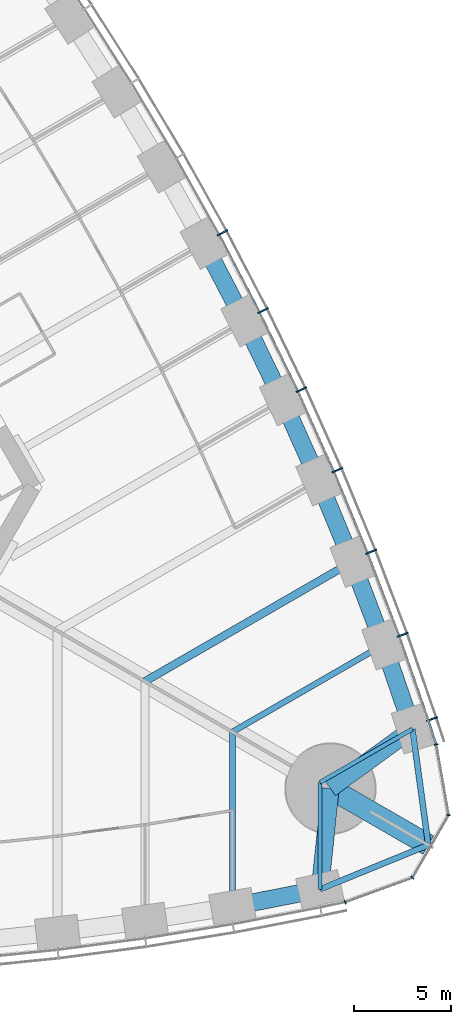
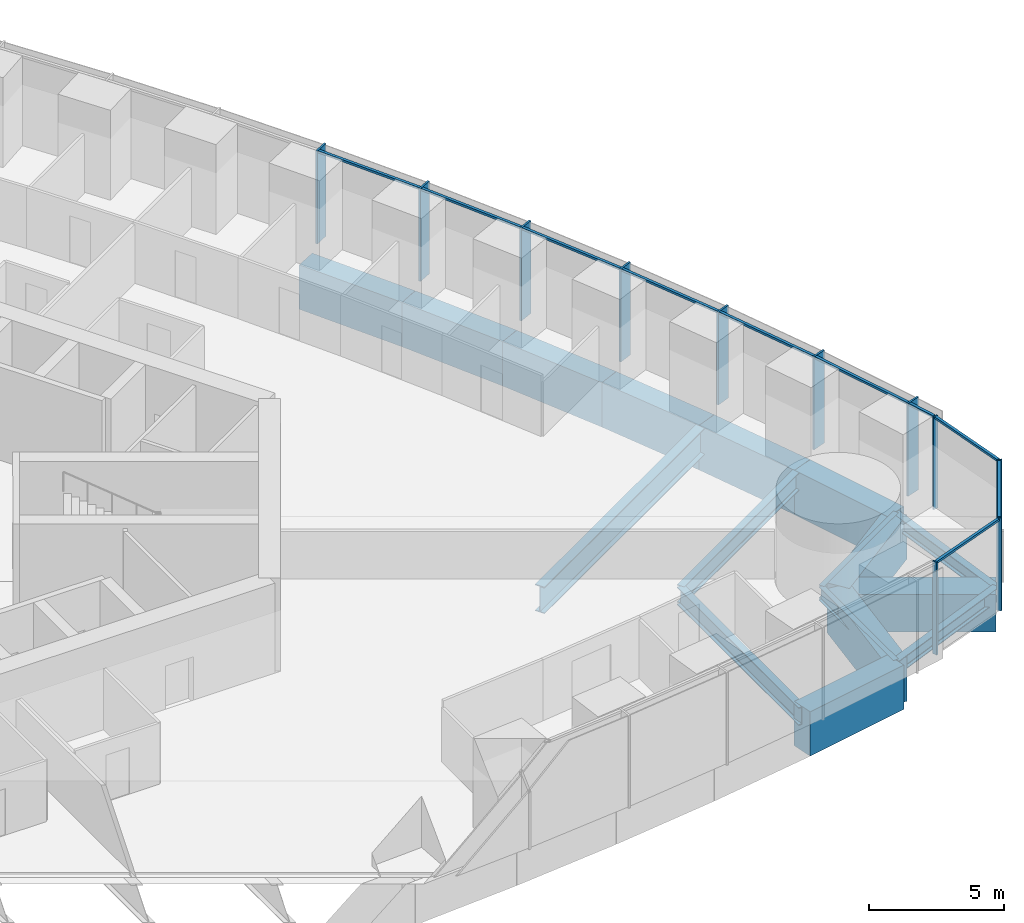
# One storey, part 6 of 19: 21 members, 17 beams, 2 elements without a shape of their own.
"""IFC4 building model written with IfcOpenShell, lengths in metres."""

from ifc_helpers import new_model, si_unit, direction, frame, origin, origin_2d, place, context, subcontext, project, spatial, rectangle, i_section, extrude, material, material_profile, profile_set, type_object, element, aggregate, save


model = new_model("IFC4")

# Units and contexts
model_context = context("Model", 3, precision=1e-05, world=origin(), true_north=direction((0.0, 1.0)))
body_context = subcontext(model_context, "Body", "Model", "MODEL_VIEW")
ifc_project = project(units=[si_unit("LENGTHUNIT", "METRE"), si_unit("AREAUNIT", "SQUARE_METRE"), si_unit("VOLUMEUNIT", "CUBIC_METRE"), si_unit("PLANEANGLEUNIT", "RADIAN"), si_unit("MASSUNIT", "GRAM", prefix="KILO")], contexts=[model_context])

# Site, building, storey
site_placement = place(None, origin())
site = spatial("IfcSite", under=ifc_project, at=site_placement, CompositionType="ELEMENT")
building_placement = place(site_placement, origin())
building = spatial("IfcBuilding", under=site, at=building_placement, Name="Trefoil Bronze Tower", CompositionType="ELEMENT")
storey_placement = place(building_placement, frame((0.0, 0.0, 79.5)))
storey = spatial("IfcBuildingStorey", under=building, at=storey_placement, Name="L18", CompositionType="ELEMENT", Elevation=79.5)

# Curtain wall, members
ifc_material_1 = material(Name="Tinted solar-control glass", Category="glass")
curtain_wall_type_1 = type_object("IfcCurtainWallType", Name="Bronze office curtain wall", PredefinedType="USERDEFINED", material=ifc_material_1)
curtain_wall_1_placement = place(storey_placement, origin())
curtain_wall_1 = element("IfcCurtainWall", 1, at=curtain_wall_1_placement, inside=storey, type_object=curtain_wall_type_1, Name="CW-A L18 F2", ObjectType="CURTAIN WALL", PredefinedType="USERDEFINED")
ifc_material_2 = material(Name="Bronze-finish aluminium", Category="aluminium")
ifc_material_profile_1 = material_profile(ifc_material_2, rectangle(XDim=0.60009765625, YDim=0.080078125, at=origin_2d()), Name="CW-A mullion")
ifc_profile_set_1 = profile_set([ifc_material_profile_1], Name="Bronze-finish aluminium")
member_type_1 = type_object("IfcMemberType", Name="Bronze office curtain wall mullion", PredefinedType="MULLION", material=ifc_profile_set_1)
member_1_placement = place(storey_placement, frame((37.265869140625, -14.92626953125, 0.0), z_axis=(0.0, 0.0, 1.0), x_axis=(-0.947850592929, -0.318715003543, 0.0)))
member_1 = element("IfcMember", 2, at=member_1_placement, type_object=member_type_1, Name="CW-A L18 F2 mullion 2", PredefinedType="MULLION", context=body_context, shape_type="SweptSolid", body=[
    extrude(rectangle(XDim=0.60009765625, YDim=0.080078125, at=origin_2d()), origin(), (0.0, 0.0, 1.0), 4.179931640625),
])
member_2_placement = place(storey_placement, frame((35.761962890625, -10.590087890625, 0.0), z_axis=(0.0, 0.0, 1.0), x_axis=(-0.939860248316, -0.341559238839, 0.0)))
member_2 = element("IfcMember", 3, at=member_2_placement, type_object=member_type_1, Name="CW-A L18 F2 mullion 3", PredefinedType="MULLION", context=body_context, shape_type="SweptSolid", body=[
    extrude(rectangle(XDim=0.60009765625, YDim=0.080078125, at=origin_2d()), origin(), (0.0, 0.0, 1.0), 4.179931640625),
])
member_3_placement = place(storey_placement, frame((34.138916015625, -6.32080078125, 0.0), z_axis=(0.0, 0.0, 1.0), x_axis=(-0.929413605838, -0.369039766534, 0.0)))
member_3 = element("IfcMember", 4, at=member_3_placement, type_object=member_type_1, Name="CW-A L18 F2 mullion 4", PredefinedType="MULLION", context=body_context, shape_type="SweptSolid", body=[
    extrude(rectangle(XDim=0.60009765625, YDim=0.080078125, at=origin_2d()), origin(), (0.0, 0.0, 1.0), 4.179931640625),
])
member_4_placement = place(storey_placement, frame((32.39892578125, -2.119384765625, 0.0), z_axis=(0.0, 0.0, 1.0), x_axis=(-0.918213748442, -0.396085233469, 0.0)))
member_4 = element("IfcMember", 5, at=member_4_placement, type_object=member_type_1, Name="CW-A L18 F2 mullion 5", PredefinedType="MULLION", context=body_context, shape_type="SweptSolid", body=[
    extrude(rectangle(XDim=0.60009765625, YDim=0.080078125, at=origin_2d()), origin(), (0.0, 0.0, 1.0), 4.179931640625),
])
member_5_placement = place(storey_placement, frame((30.543212890625, 2.015380859375, 0.0), z_axis=(0.0, 0.0, 1.0), x_axis=(-0.906269346572, -0.422700687798, 0.0)))
member_5 = element("IfcMember", 6, at=member_5_placement, type_object=member_type_1, Name="CW-A L18 F2 mullion 6", PredefinedType="MULLION", context=body_context, shape_type="SweptSolid", body=[
    extrude(rectangle(XDim=0.60009765625, YDim=0.080078125, at=origin_2d()), origin(), (0.0, 0.0, 1.0), 4.179931640625),
])
member_6_placement = place(storey_placement, frame((28.57275390625, 6.084228515625, 0.0), z_axis=(0.0, 0.0, 1.0), x_axis=(-0.893587025891, -0.448889994497, 0.0)))
member_6 = element("IfcMember", 7, at=member_6_placement, type_object=member_type_1, Name="CW-A L18 F2 mullion 7", PredefinedType="MULLION", context=body_context, shape_type="SweptSolid", body=[
    extrude(rectangle(XDim=0.60009765625, YDim=0.080078125, at=origin_2d()), origin(), (0.0, 0.0, 1.0), 4.179931640625),
])
member_7_placement = place(storey_placement, frame((26.488525390625, 10.0869140625, 0.0), z_axis=(0.0, 0.0, 1.0), x_axis=(-0.880171454588, -0.474655886437, 0.0)))
member_7 = element("IfcMember", 8, at=member_7_placement, type_object=member_type_1, Name="CW-A L18 F2 mullion 8", PredefinedType="MULLION", context=body_context, shape_type="SweptSolid", body=[
    extrude(rectangle(XDim=0.60009765625, YDim=0.080078125, at=origin_2d()), origin(), (0.0, 0.0, 1.0), 4.179931640625),
])
ifc_material_3 = material(Name="Bronze-finish aluminium", Category="aluminium")
ifc_material_profile_2 = material_profile(ifc_material_3, rectangle(XDim=0.1201171875, YDim=0.10009765625, at=origin_2d()), Name="CW-A transom")
ifc_profile_set_2 = profile_set([ifc_material_profile_2], Name="Bronze-finish aluminium")
member_type_2 = type_object("IfcMemberType", Name="Bronze office curtain wall transom", PredefinedType="USERDEFINED", material=ifc_profile_set_2)
member_8_placement = place(storey_placement, frame((37.4638671875, -16.1796875, 4.1298828125), z_axis=(-0.309624219148, 0.950859002648, 0.0), x_axis=(-0.950859002648, -0.309624219148, 0.0)))
member_8 = element("IfcMember", 9, at=member_8_placement, type_object=member_type_2, Name="CW-A L18 F2 transom 1", ObjectType="TRANSOM", PredefinedType="USERDEFINED", context=body_context, shape_type="SweptSolid", body=[
    extrude(rectangle(XDim=0.1201171875, YDim=0.10009765625, at=origin_2d()), origin(), (0.0, 0.0, 1.0), 1.21044921875),
])
member_9_placement = place(storey_placement, frame((37.06298828125, -14.951171875, 4.1298828125), z_axis=(-0.327689728493, 0.944785394595, 0.0), x_axis=(-0.944785394595, -0.327689728493, 0.0)))
member_9 = element("IfcMember", 10, at=member_9_placement, type_object=member_type_2, Name="CW-A L18 F2 transom 2", ObjectType="TRANSOM", PredefinedType="USERDEFINED", context=body_context, shape_type="SweptSolid", body=[
    extrude(rectangle(XDim=0.1201171875, YDim=0.10009765625, at=origin_2d()), origin(), (0.0, 0.0, 1.0), 4.502197265625),
])
member_10_placement = place(storey_placement, frame((35.559326171875, -10.61962890625, 4.1298828125), z_axis=(-0.355367327392, 0.934726731522, 0.0), x_axis=(-0.934726731522, -0.355367327392, 0.0)))
member_10 = element("IfcMember", 11, at=member_10_placement, type_object=member_type_2, Name="CW-A L18 F2 transom 3", ObjectType="TRANSOM", PredefinedType="USERDEFINED", context=body_context, shape_type="SweptSolid", body=[
    extrude(rectangle(XDim=0.1201171875, YDim=0.10009765625, at=origin_2d()), origin(), (0.0, 0.0, 1.0), 4.478515625),
])
member_11_placement = place(storey_placement, frame((33.937255859375, -6.3564453125, 4.1298828125), z_axis=(-0.382616149417, 0.923907399151, 0.0), x_axis=(-0.923907399151, -0.382616149417, 0.0)))
member_11 = element("IfcMember", 12, at=member_11_placement, type_object=member_type_2, Name="CW-A L18 F2 transom 4", ObjectType="TRANSOM", PredefinedType="USERDEFINED", context=body_context, shape_type="SweptSolid", body=[
    extrude(rectangle(XDim=0.1201171875, YDim=0.10009765625, at=origin_2d()), origin(), (0.0, 0.0, 1.0), 4.458984375),
])
member_12_placement = place(storey_placement, frame((32.1982421875, -2.16064453125, 4.1298828125), z_axis=(-0.409459746452, 0.912328184392, 0.0), x_axis=(-0.912328184392, -0.409459746452, 0.0)))
member_12 = element("IfcMember", 13, at=member_12_placement, type_object=member_type_2, Name="CW-A L18 F2 transom 5", ObjectType="TRANSOM", PredefinedType="USERDEFINED", context=body_context, shape_type="SweptSolid", body=[
    extrude(rectangle(XDim=0.1201171875, YDim=0.10009765625, at=origin_2d()), origin(), (0.0, 0.0, 1.0), 4.443359375),
])
member_13_placement = place(storey_placement, frame((30.34375, 1.96826171875, 4.1298828125), z_axis=(-0.435851763293, 0.900018466719, 0.0), x_axis=(-0.900018466719, -0.435851763293, 0.0)))
member_13 = element("IfcMember", 14, at=member_13_placement, type_object=member_type_2, Name="CW-A L18 F2 transom 6", ObjectType="TRANSOM", PredefinedType="USERDEFINED", context=body_context, shape_type="SweptSolid", body=[
    extrude(rectangle(XDim=0.1201171875, YDim=0.10009765625, at=origin_2d()), origin(), (0.0, 0.0, 1.0), 4.431884765625),
])
member_14_placement = place(storey_placement, frame((28.375, 6.031005859375, 4.1298828125), z_axis=(-0.461809621225, 0.886979071762, 0.0), x_axis=(-0.886979071762, -0.461809621225, 0.0)))
member_14 = element("IfcMember", 15, at=member_14_placement, type_object=member_type_2, Name="CW-A L18 F2 transom 7", ObjectType="TRANSOM", PredefinedType="USERDEFINED", context=body_context, shape_type="SweptSolid", body=[
    extrude(rectangle(XDim=0.1201171875, YDim=0.10009765625, at=origin_2d()), origin(), (0.0, 0.0, 1.0), 4.42431640625),
])
aggregate(curtain_wall_1, [member_1, member_2, member_3, member_4, member_5, member_6, member_7, member_8, member_9, member_10, member_11, member_12, member_13, member_14])

ifc_material_4 = material(Name="Tinted solar-control glass", Category="glass")
curtain_wall_type_2 = type_object("IfcCurtainWallType", Name="Bronze rounded corner curtain wall", PredefinedType="USERDEFINED", material=ifc_material_4)
curtain_wall_2_placement = place(storey_placement, origin())
curtain_wall_2 = element("IfcCurtainWall", 16, at=curtain_wall_2_placement, inside=storey, type_object=curtain_wall_type_2, Name="CW-B L18 K1", ObjectType="CURTAIN WALL", PredefinedType="USERDEFINED")
ifc_material_5 = material(Name="Bronze-finish aluminium", Category="aluminium")
ifc_material_profile_3 = material_profile(ifc_material_5, rectangle(XDim=0.199951171875, YDim=0.06005859375, at=origin_2d()), Name="CW-B mullion")
ifc_profile_set_3 = profile_set([ifc_material_profile_3], Name="Bronze-finish aluminium")
member_type_3 = type_object("IfcMemberType", Name="Bronze rounded corner curtain wall mullion", PredefinedType="MULLION", material=ifc_profile_set_3)
member_15_placement = place(storey_placement, frame((32.796630859375, -24.3427734375, 0.0), z_axis=(0.0, 0.0, 1.0), x_axis=(-0.342020143326, 0.939692620786, 0.0)))
member_15 = element("IfcMember", 17, at=member_15_placement, type_object=member_type_3, Name="CW-B L18 K1 mullion 1", PredefinedType="MULLION", context=body_context, shape_type="SweptSolid", body=[
    extrude(rectangle(XDim=0.199951171875, YDim=0.06005859375, at=origin_2d()), origin(), (0.0, 0.0, 1.0), 4.179931640625),
])
member_16_placement = place(storey_placement, frame((36.2548828125, -23.07763671875, 0.0), z_axis=(0.0, 0.0, 1.0), x_axis=(-0.642787609687, 0.766044443119, 0.0)))
member_16 = element("IfcMember", 18, at=member_16_placement, type_object=member_type_3, Name="CW-B L18 K1 mullion 2", PredefinedType="MULLION", context=body_context, shape_type="SweptSolid", body=[
    extrude(rectangle(XDim=0.199951171875, YDim=0.06005859375, at=origin_2d()), origin(), (0.0, 0.0, 1.0), 4.179931640625),
])
member_17_placement = place(storey_placement, frame((38.11328125, -19.85888671875, 0.0), z_axis=(0.0, 0.0, 1.0), x_axis=(-0.984807753012, 0.173648177667, 0.0)))
member_17 = element("IfcMember", 19, at=member_17_placement, type_object=member_type_3, Name="CW-B L18 K1 mullion 3", PredefinedType="MULLION", context=body_context, shape_type="SweptSolid", body=[
    extrude(rectangle(XDim=0.199951171875, YDim=0.06005859375, at=origin_2d()), origin(), (0.0, 0.0, 1.0), 4.179931640625),
])
member_18_placement = place(storey_placement, frame((37.479736328125, -16.2314453125, 0.0), z_axis=(0.0, 0.0, 1.0), x_axis=(-0.984807753012, -0.173648177667, 0.0)))
member_18 = element("IfcMember", 20, at=member_18_placement, type_object=member_type_3, Name="CW-B L18 K1 mullion 4", PredefinedType="MULLION", context=body_context, shape_type="SweptSolid", body=[
    extrude(rectangle(XDim=0.199951171875, YDim=0.06005859375, at=origin_2d()), origin(), (0.0, 0.0, 1.0), 4.179931640625),
])
ifc_material_6 = material(Name="Bronze-finish aluminium", Category="aluminium")
ifc_material_profile_4 = material_profile(ifc_material_6, rectangle(XDim=0.1201171875, YDim=0.10009765625, at=origin_2d()), Name="CW-B transom")
ifc_profile_set_4 = profile_set([ifc_material_profile_4], Name="Bronze-finish aluminium")
member_type_4 = type_object("IfcMemberType", Name="Bronze rounded corner curtain wall transom", PredefinedType="USERDEFINED", material=ifc_profile_set_4)
member_19_placement = place(storey_placement, frame((32.82470703125, -24.33251953125, 4.1298828125), z_axis=(0.939688092095, 0.342032585545, 0.0), x_axis=(-0.342032585545, 0.939688092095, 0.0)))
member_19 = element("IfcMember", 21, at=member_19_placement, type_object=member_type_4, Name="CW-B L18 K1 transom 1", ObjectType="TRANSOM", PredefinedType="USERDEFINED", context=body_context, shape_type="SweptSolid", body=[
    extrude(rectangle(XDim=0.1201171875, YDim=0.10009765625, at=origin_2d()), origin(), (0.0, 0.0, 1.0), 3.588134765625),
])
member_20_placement = place(storey_placement, frame((36.292236328125, -23.02490234375, 4.1298828125), z_axis=(0.500024788772, 0.866011091507, 0.0), x_axis=(-0.866011091507, 0.500024788772, 0.0)))
member_20 = element("IfcMember", 22, at=member_20_placement, type_object=member_type_4, Name="CW-B L18 K1 transom 2", ObjectType="TRANSOM", PredefinedType="USERDEFINED", context=body_context, shape_type="SweptSolid", body=[
    extrude(rectangle(XDim=0.1201171875, YDim=0.10009765625, at=origin_2d()), origin(), (0.0, 0.0, 1.0), 3.588134765625),
])
member_21_placement = place(storey_placement, frame((38.10791015625, -19.794677734375, 4.1298828125), z_axis=(-0.17363783606, 0.984809576461, 0.0), x_axis=(-0.984809576461, -0.17363783606, 0.0)))
member_21 = element("IfcMember", 23, at=member_21_placement, type_object=member_type_4, Name="CW-B L18 K1 transom 3", ObjectType="TRANSOM", PredefinedType="USERDEFINED", context=body_context, shape_type="SweptSolid", body=[
    extrude(rectangle(XDim=0.1201171875, YDim=0.10009765625, at=origin_2d()), origin(), (0.0, 0.0, 1.0), 3.588134765625),
])
aggregate(curtain_wall_2, [member_15, member_16, member_17, member_18, member_19, member_20, member_21])

# Beams
ifc_material_7 = material(Name="Concrete B80", Category="concrete")
ifc_material_profile_5 = material_profile(ifc_material_7, rectangle(XDim=1.10009765625, YDim=1.699951171875, at=origin_2d()), Name="RC 1100x1700")
ifc_profile_set_5 = profile_set([ifc_material_profile_5], Name="Concrete B80")
beam_type_1 = type_object("IfcBeamType", Name="Corner cantilever RC 1100x1700", PredefinedType="BEAM", material=ifc_profile_set_5)
beam_1_placement = place(storey_placement, frame((32.04296875, -18.5, -1.050048828125), z_axis=(0.866030348588, -0.499991435252, 0.0), x_axis=(0.499991435252, 0.866030348588, 0.0)))
element("IfcBeam", 24, at=beam_1_placement, inside=storey, type_object=beam_type_1, Name="Corner cantilever K1 L18", PredefinedType="BEAM", context=body_context, shape_type="SweptSolid", body=[
    extrude(rectangle(XDim=1.10009765625, YDim=1.699951171875, at=origin_2d()), origin(), (0.0, 0.0, 1.0), 5.81396484375),
])
ifc_material_8 = material(Name="Steel C355", Category="steel")
ifc_material_profile_6 = material_profile(ifc_material_8, i_section(OverallWidth=0.300048828125, OverallDepth=0.60009765625, WebThickness=0.015380859375, FlangeThickness=0.030029296875, FilletRadius=0.027099609375, at=origin_2d()), Name="HEB 600")
ifc_profile_set_6 = profile_set([ifc_material_profile_6], Name="Steel C355")
beam_type_2 = type_object("IfcBeamType", Name="Corner edge beam HEB 600", PredefinedType="BEAM", material=ifc_profile_set_6)
beam_2_placement = place(storey_placement, frame((31.5, -23.684814453125, -0.5), z_axis=(0.925786874353, 0.378045848114, 0.0), x_axis=(-0.378045848114, 0.925786874353, 0.0)))
element("IfcBeam", 25, at=beam_2_placement, inside=storey, type_object=beam_type_2, Name="Corner edge beam F1A L18", PredefinedType="BEAM", context=body_context, shape_type="SweptSolid", body=[
    extrude(i_section(OverallWidth=0.300048828125, OverallDepth=0.60009765625, WebThickness=0.015380859375, FlangeThickness=0.030029296875, FilletRadius=0.027099609375, at=origin_2d()), origin(), (0.0, 0.0, 1.0), 6.025390625),
])
beam_3_placement = place(storey_placement, frame((36.26171875, -15.4375, -0.5), z_axis=(0.13550196505, -0.990777077585, 0.0), x_axis=(0.990777077585, 0.13550196505, 0.0)))
element("IfcBeam", 26, at=beam_3_placement, inside=storey, type_object=beam_type_2, Name="Corner edge beam F2B L18", PredefinedType="BEAM", context=body_context, shape_type="SweptSolid", body=[
    extrude(i_section(OverallWidth=0.300048828125, OverallDepth=0.60009765625, WebThickness=0.015380859375, FlangeThickness=0.030029296875, FilletRadius=0.027099609375, at=origin_2d()), origin(), (0.0, 0.0, 1.0), 6.025146484375),
])
ifc_material_9 = material(Name="Concrete B80", Category="concrete")
ifc_material_profile_7 = material_profile(ifc_material_9, rectangle(XDim=0.89990234375, YDim=2.0, at=origin_2d()), Name="RC 900x2000")
ifc_profile_set_7 = profile_set([ifc_material_profile_7], Name="Concrete B80")
beam_type_3 = type_object("IfcBeamType", Name="End spandrel beam RC 900x2000", PredefinedType="SPANDREL", material=ifc_profile_set_7)
for number, where, z_axis, x_axis, name in (
    (27, (31.5, -23.684814453125, -1.199951171875), (0.104153327908, 0.994561252154, 0.0), (-0.994561252154, 0.104153327908, 0.0), "Spandrel F1.16 L18"),
    (28, (32.04296875, -18.5, -1.199951171875), (0.809254211267, 0.587458612624, 0.0), (-0.587458612624, 0.809254211267, 0.0), "Spandrel F2.1 L18"),
):
    element("IfcBeam", number, at=place(storey_placement, frame(where, z_axis=z_axis, x_axis=x_axis)), inside=storey, type_object=beam_type_3, Name=name, PredefinedType="SPANDREL", context=body_context, shape_type="SweptSolid", body=[
        extrude(rectangle(XDim=0.89990234375, YDim=2.0, at=origin_2d()), origin(), (0.0, 0.0, 1.0), 5.213134765625),
    ])
ifc_material_10 = material(Name="Steel C355", Category="steel")
ifc_material_profile_8 = material_profile(ifc_material_10, i_section(OverallWidth=0.300048828125, OverallDepth=0.800048828125, WebThickness=0.017578125, FlangeThickness=0.032958984375, FilletRadius=0.030029296875, at=origin_2d()), Name="HEB 800")
ifc_profile_set_8 = profile_set([ifc_material_profile_8], Name="Steel C355")
beam_type_4 = type_object("IfcBeamType", Name="Floor beam HEB 800", PredefinedType="BEAM", material=ifc_profile_set_8)
for number, where, z_axis, x_axis, name in (
    (29, (27.0, -24.56787109375, -0.60009765625), (0.0, 1.0, 0.0), (-1.0, 0.0, 0.0), "Floor beam F1/+6 L18"),
    (30, (34.7763671875, -11.0986328125, -0.60009765625), (-0.866022587327, -0.500004878216, 0.0), (0.500004878216, -0.866022587327, 0.0), "Floor beam F2/-6 L18"),
):
    element("IfcBeam", number, at=place(storey_placement, frame(where, z_axis=z_axis, x_axis=x_axis)), inside=storey, type_object=beam_type_4, Name=name, PredefinedType="BEAM", context=body_context, shape_type="SweptSolid", body=[
        extrude(i_section(OverallWidth=0.300048828125, OverallDepth=0.800048828125, WebThickness=0.017578125, FlangeThickness=0.032958984375, FilletRadius=0.030029296875, at=origin_2d()), origin(), (0.0, 0.0, 1.0), 8.9794921875),
    ])
ifc_material_11 = material(Name="Steel C355", Category="steel")
ifc_material_profile_9 = material_profile(ifc_material_11, i_section(OverallWidth=0.219970703125, OverallDepth=0.60009765625, WebThickness=0.011962890625, FlangeThickness=0.01904296875, FilletRadius=0.02392578125, at=origin_2d()), Name="IPE 600")
ifc_profile_set_9 = profile_set([ifc_material_profile_9], Name="Steel C355")
beam_type_5 = type_object("IfcBeamType", Name="Floor beam IPE 600", PredefinedType="BEAM", material=ifc_profile_set_9)
for number, where, z_axis, x_axis, name in (
    (31, (31.5, -23.684814453125, -0.5), (0.0, 1.0, 0.0), (-1.0, 0.0, 0.0), "Floor beam F1/+7 L18"),
    (32, (36.26171875, -15.4375, -0.5), (-0.866037702141, -0.499978698016, 0.0), (0.499978698016, -0.866037702141, 0.0), "Floor beam F2/-7 L18"),
):
    element("IfcBeam", number, at=place(storey_placement, frame(where, z_axis=z_axis, x_axis=x_axis)), inside=storey, type_object=beam_type_5, Name=name, PredefinedType="BEAM", context=body_context, shape_type="SweptSolid", body=[
        extrude(i_section(OverallWidth=0.219970703125, OverallDepth=0.60009765625, WebThickness=0.011962890625, FlangeThickness=0.01904296875, FilletRadius=0.02392578125, at=origin_2d()), origin(), (0.0, 0.0, 1.0), 5.498291015625),
    ])
ifc_material_12 = material(Name="Steel C355", Category="steel")
ifc_material_profile_10 = material_profile(ifc_material_12, i_section(OverallWidth=0.39990234375, OverallDepth=1.199951171875, WebThickness=0.02001953125, FlangeThickness=0.0400390625, FilletRadius=0.010009765625, at=origin_2d()), Name="WPG 1200")
ifc_profile_set_10 = profile_set([ifc_material_profile_10], Name="Steel C355")
beam_type_6 = type_object("IfcBeamType", Name="Floor beam WPG 1200", PredefinedType="BEAM", material=ifc_profile_set_10)
beam_4_placement = place(storey_placement, frame((33.159912109375, -6.8359375, -0.800048828125), z_axis=(-0.866024070878, -0.500002308654, 0.0), x_axis=(0.500002308654, -0.866024070878, 0.0)))
element("IfcBeam", 33, at=beam_4_placement, inside=storey, type_object=beam_type_6, Name="Floor beam F2/-5 L18", PredefinedType="BEAM", context=body_context, shape_type="SweptSolid", body=[
    extrude(i_section(OverallWidth=0.39990234375, OverallDepth=1.199951171875, WebThickness=0.02001953125, FlangeThickness=0.0400390625, FilletRadius=0.010009765625, at=origin_2d()), origin(), (0.0, 0.0, 1.0), 12.30908203125),
])
ifc_material_13 = material(Name="Concrete B80", Category="concrete")
ifc_material_profile_11 = material_profile(ifc_material_13, rectangle(XDim=0.89990234375, YDim=2.0, at=origin_2d()), Name="RC 900x2000")
ifc_profile_set_11 = profile_set([ifc_material_profile_11], Name="Concrete B80")
beam_type_7 = type_object("IfcBeamType", Name="Spandrel beam RC 900x2000", PredefinedType="SPANDREL", material=ifc_profile_set_11)
beam_5_placement = place(storey_placement, frame((27.0, -24.56787109375, -1.199951171875), z_axis=(0.981284764092, 0.192562228283, 0.0), x_axis=(-0.192562228283, 0.981284764092, 0.0)))
element("IfcBeam", 34, at=beam_5_placement, inside=storey, type_object=beam_type_7, Name="Spandrel F1.15 L18", PredefinedType="SPANDREL", context=body_context, shape_type="SweptSolid", body=[
    extrude(rectangle(XDim=0.89990234375, YDim=2.0, at=origin_2d()), origin(), (0.0, 0.0, 1.0), 4.5859375),
])
beam_6_placement = place(storey_placement, frame((36.26171875, -15.4375, -1.199951171875), z_axis=(-0.323883319148, 0.946097032855, 0.0), x_axis=(-0.946097032855, -0.323883319148, 0.0)))
element("IfcBeam", 35, at=beam_6_placement, inside=storey, type_object=beam_type_7, Name="Spandrel F2.2 L18", PredefinedType="SPANDREL", context=body_context, shape_type="SweptSolid", body=[
    extrude(rectangle(XDim=0.89990234375, YDim=2.0, at=origin_2d()), origin(), (0.0, 0.0, 1.0), 4.586181640625),
])
beam_7_placement = place(storey_placement, frame((34.7763671875, -11.0986328125, -1.199951171875), z_axis=(-0.354571899767, 0.935028752443, 0.0), x_axis=(-0.935028752443, -0.354571899767, 0.0)))
element("IfcBeam", 36, at=beam_7_placement, inside=storey, type_object=beam_type_7, Name="Spandrel F2.3 L18", PredefinedType="SPANDREL", context=body_context, shape_type="SweptSolid", body=[
    extrude(rectangle(XDim=0.89990234375, YDim=2.0, at=origin_2d()), origin(), (0.0, 0.0, 1.0), 4.558837890625),
])
beam_8_placement = place(storey_placement, frame((33.159912109375, -6.8359375, -1.199951171875), z_axis=(-0.382020825144, 0.924153715113, 0.0), x_axis=(-0.924153715113, -0.382020825144, 0.0)))
element("IfcBeam", 37, at=beam_8_placement, inside=storey, type_object=beam_type_7, Name="Spandrel F2.4 L18", PredefinedType="SPANDREL", context=body_context, shape_type="SweptSolid", body=[
    extrude(rectangle(XDim=0.89990234375, YDim=2.0, at=origin_2d()), origin(), (0.0, 0.0, 1.0), 4.539306640625),
])
beam_9_placement = place(storey_placement, frame((31.42578125, -2.640869140625, -1.199951171875), z_axis=(-0.408945873044, 0.912558640812, 0.0), x_axis=(-0.912558640812, -0.408945873044, 0.0)))
element("IfcBeam", 38, at=beam_9_placement, inside=storey, type_object=beam_type_7, Name="Spandrel F2.5 L18", PredefinedType="SPANDREL", context=body_context, shape_type="SweptSolid", body=[
    extrude(rectangle(XDim=0.89990234375, YDim=2.0, at=origin_2d()), origin(), (0.0, 0.0, 1.0), 4.5234375),
])
beam_10_placement = place(storey_placement, frame((29.575927734375, 1.487060546875, -1.199951171875), z_axis=(-0.435510013583, 0.900183885697, 0.0), x_axis=(-0.900183885697, -0.435510013583, 0.0)))
element("IfcBeam", 39, at=beam_10_placement, inside=storey, type_object=beam_type_7, Name="Spandrel F2.6 L18", PredefinedType="SPANDREL", context=body_context, shape_type="SweptSolid", body=[
    extrude(rectangle(XDim=0.89990234375, YDim=2.0, at=origin_2d()), origin(), (0.0, 0.0, 1.0), 4.51220703125),
])
beam_11_placement = place(storey_placement, frame((27.61083984375, 5.548828125, -1.199951171875), z_axis=(-0.461637716615, 0.887068553495, 0.0), x_axis=(-0.887068553495, -0.461637716615, 0.0)))
element("IfcBeam", 40, at=beam_11_placement, inside=storey, type_object=beam_type_7, Name="Spandrel F2.7 L18", PredefinedType="SPANDREL", context=body_context, shape_type="SweptSolid", body=[
    extrude(rectangle(XDim=0.89990234375, YDim=2.0, at=origin_2d()), origin(), (0.0, 0.0, 1.0), 4.50439453125),
])

save(model, "model.ifc")
